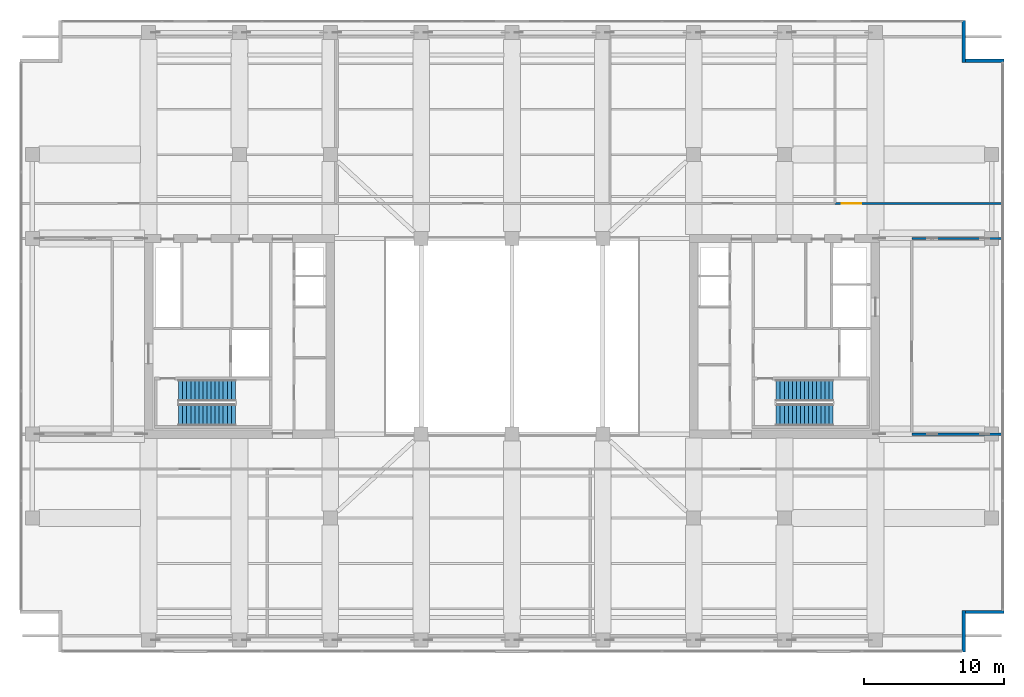
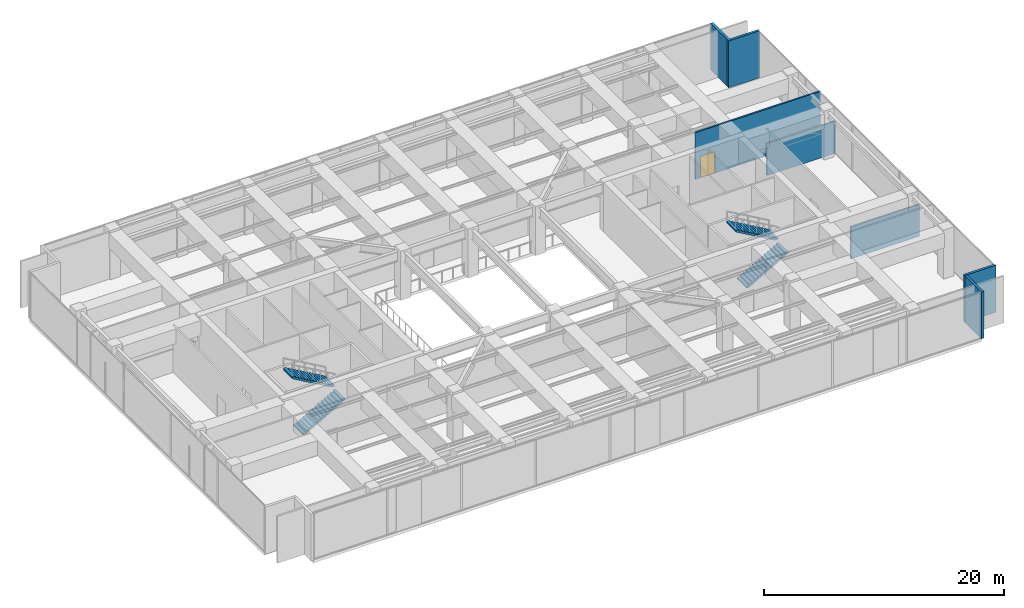
# One storey, part 24 of 28: 7 walls, 4 stair flights, 1 door, 1 opening, 2 elements without a shape of their own.
"""IFC4 building model written with IfcOpenShell, lengths in metres."""

from ifc_helpers import new_model, si_unit, direction, frame, frame_2d, origin, place, context, subcontext, project, spatial, polyline, rectangle, outline, extrude, material, layer, layer_set, type_object, element, fill, aggregate, save


model = new_model("IFC4")

# Units and contexts
model_context = context("Model", 3, precision=1e-05, world=origin(), true_north=direction((0.0, 1.0)))
body_context = subcontext(model_context, "Body", "Model", "MODEL_VIEW")
ifc_project = project(units=[si_unit("LENGTHUNIT", "METRE"), si_unit("AREAUNIT", "SQUARE_METRE"), si_unit("VOLUMEUNIT", "CUBIC_METRE"), si_unit("PLANEANGLEUNIT", "RADIAN"), si_unit("MASSUNIT", "GRAM", prefix="KILO")], contexts=[model_context])

# Site, building, storey
site_placement = place(None, origin())
site = spatial("IfcSite", under=ifc_project, at=site_placement, CompositionType="ELEMENT")
building_placement = place(site_placement, origin())
building = spatial("IfcBuilding", under=site, at=building_placement, Name="Putna Gate Headquarters", CompositionType="ELEMENT")
storey_placement = place(building_placement, frame((0.0, 0.0, 197.39990234375)))
storey = spatial("IfcBuildingStorey", under=building, at=storey_placement, Name="L49", CompositionType="ELEMENT", Elevation=197.39990234375)

# Walls
ifc_material_1 = material(Name="Precast concrete C40/50", Category="concrete")
ifc_layer_1 = layer(ifc_material_1, 0.239990234375)
ifc_layer_set_1 = layer_set([ifc_layer_1], Name="Precast concrete C40/50")
wall_type_1 = type_object("IfcWallType", Name="WALL-EXT-TERR-240", PredefinedType="STANDARD", material=ifc_layer_set_1)
for number, where, z_axis, x_axis, name in (
    (1, (71.320068359375, 48.60009765625, 0.0), (0.0, 0.0, 1.0), (0.0, -1.0, 0.0), "L49 Corner Notch Return Wall NE-V"),
    (2, (71.199951171875, 45.719970703125, 0.0), (0.0, 0.0, 1.0), (1.0, 0.0, 0.0), "L49 Corner Notch Return Wall NE-H"),
    (3, (71.320068359375, 6.39990234375, 0.0), (0.0, 0.0, 1.0), (0.0, -1.0, 0.0), "L49 Corner Notch Return Wall SE-V"),
    (4, (74.199951171875, 6.280029296875, 0.0), (0.0, 0.0, 1.0), (-1.0, 0.0, 0.0), "L49 Corner Notch Return Wall SE-H"),
):
    element("IfcWall", number, at=place(storey_placement, frame(where, z_axis=z_axis, x_axis=x_axis)), inside=storey, type_object=wall_type_1, Name=name, PredefinedType="STANDARD", context=body_context, shape_type="SweptSolid", body=[
        extrude(rectangle(XDim=3.0, YDim=0.239990234375, at=frame_2d((1.5, 0.0))), origin(), (0.0, 0.0, 1.0), 4.780029296875),
    ])
ifc_material_2 = material(Name="Concrete C40/50", Category="concrete")
ifc_layer_2 = layer(ifc_material_2, 0.159912109375)
ifc_layer_set_2 = layer_set([ifc_layer_2], Name="Concrete C40/50")
wall_type_2 = type_object("IfcWallType", Name="WALL-SHAFT-160", PredefinedType="STANDARD", material=ifc_layer_set_2)
for number, where, z_axis, x_axis, name in (
    (5, (67.60009765625, 19.0, 0.0), (0.0, 0.0, 1.0), (1.0, 0.0, 0.0), "L49 Interior Wall PART-L49-REFE-S"),
    (6, (67.60009765625, 33.0, 0.0), (0.0, 0.0, 1.0), (1.0, 0.0, 0.0), "L49 Interior Wall PART-L49-REFE-N"),
):
    element("IfcWall", number, at=place(storey_placement, frame(where, z_axis=z_axis, x_axis=x_axis)), inside=storey, type_object=wall_type_2, Name=name, PredefinedType="STANDARD", context=body_context, shape_type="SweptSolid", body=[
        extrude(rectangle(XDim=6.579833984375, YDim=0.159912109375, at=frame_2d((3.2900390625, 0.0))), origin(), (0.0, 0.0, 1.0), 3.260009765625),
    ])

# Wall, opening, door
wall_placement = place(storey_placement, frame((62.11328125, 35.5, 0.0), z_axis=(0.0, 0.0, 1.0), x_axis=(1.0, 0.0, 0.0)))
wall = element("IfcWall", 7, at=wall_placement, inside=storey, type_object=wall_type_2, Name="L49 Interior Wall PART-L49-PN-CW4", PredefinedType="STANDARD", context=body_context, shape_type="SweptSolid", body=[
    extrude(rectangle(XDim=12.066650390625, YDim=0.159912109375, at=frame_2d((6.033203125, 0.0))), origin(), (0.0, 0.0, 1.0), 4.780029296875),
])
opening_placement = place(wall_placement, frame((0.47998046875, 0.0, 0.0)))
opening = element("IfcOpeningElement", 8, at=opening_placement, cuts=wall, Name="Opening FDD-140", PredefinedType="OPENING", context=body_context, shape_type="SweptSolid", body=[
    extrude(rectangle(XDim=1.39990234375, YDim=2.199951171875, at=frame_2d((0.699951171875, 1.10009765625))), frame((0.0, 0.08984375, 0.0), z_axis=(0.0, -1.0, 0.0), x_axis=(1.0, 0.0, 0.0)), (0.0, 0.0, 1.0), 0.179931640625),
])
ifc_material_3 = material(Name="Double steel fire door", Category="steel")
door_type = type_object("IfcDoorType", Name="DOOR-FIRE-DBL-1400", OperationType="DOUBLE_DOOR_SINGLE_SWING", PredefinedType="DOOR", material=ifc_material_3)
door_placement = place(opening_placement, origin())
door = element("IfcDoor", 9, at=door_placement, inside=storey, type_object=door_type, Name="L49 BMS and Telecoms Control Plant Room Door", OperationType="DOUBLE_DOOR_SINGLE_SWING", OverallHeight=2.199951171875, OverallWidth=1.39990234375, PredefinedType="DOOR", context=body_context, shape_type="SweptSolid", body=[
    extrude(rectangle(XDim=1.39990234375, YDim=2.199951171875, at=frame_2d((0.699951171875, 1.10009765625))), frame((0.0, 0.02490234375, 0.0), z_axis=(0.0, -1.0, 0.0), x_axis=(1.0, 0.0, 0.0)), (0.0, 0.0, 1.0), 0.050048828125),
])
fill(opening, door)

# Stair, stair flights
stair_type_1 = type_object("IfcStairType", Name="STAIR-ST1", PredefinedType="HALF_TURN_STAIR", material=ifc_material_2)
stair_1_placement = place(storey_placement, origin())
stair_1 = element("IfcStair", 10, at=stair_1_placement, inside=storey, type_object=stair_type_1, Name="L49 West Core Exit Stair ST1", PredefinedType="HALF_TURN_STAIR")
stair_flight_type_1 = type_object("IfcStairFlightType", Name="FLIGHT-ST1", PredefinedType="STRAIGHT", material=ifc_material_2)
stair_flight_1_placement = place(storey_placement, frame((15.14990234375, 20.375, 0.0), z_axis=(0.0, 0.0, 1.0), x_axis=(1.0, 0.0, 0.0)))
stair_flight_1 = element("IfcStairFlight", 11, at=stair_flight_1_placement, type_object=stair_flight_type_1, Name="ST1 flight 1", NumberOfRisers=15, NumberOfTreads=14, PredefinedType="STRAIGHT", RiserHeight=0.166666667, TreadLength=0.29, context=body_context, shape_type="SweptSolid", body=[
    extrude(outline(polyline([(0.0, 0.0), (0.0, 0.166748046875), (0.2900390625, 0.166748046875), (0.2900390625, 0.333251953125), (0.580078125, 0.333251953125), (0.580078125, 0.5), (0.8701171875, 0.5), (0.8701171875, 0.666748046875), (1.159912109375, 0.666748046875), (1.159912109375, 0.833251953125), (1.449951171875, 0.833251953125), (1.449951171875, 1.0), (1.739990234375, 1.0), (1.739990234375, 1.166748046875), (2.030029296875, 1.166748046875), (2.030029296875, 1.333251953125), (2.320068359375, 1.333251953125), (2.320068359375, 1.5), (2.610107421875, 1.5), (2.610107421875, 1.666748046875), (2.89990234375, 1.666748046875), (2.89990234375, 1.833251953125), (3.18994140625, 1.833251953125), (3.18994140625, 2.0), (3.47998046875, 2.0), (3.47998046875, 2.166748046875), (3.77001953125, 2.166748046875), (3.77001953125, 2.333251953125), (4.06005859375, 2.333251953125), (4.06005859375, 2.5), (4.06005859375, 2.160400390625), (0.30078125, 0.0), (0.0, 0.0)])), frame((0.0, 0.77490234375, 0.0), z_axis=(0.0, -1.0, 0.0), x_axis=(1.0, 0.0, 0.0)), (0.0, 0.0, 1.0), 1.550048828125),
])
stair_flight_2_placement = place(storey_placement, frame((19.2099609375, 22.125, 2.5), z_axis=(0.0, 0.0, 1.0), x_axis=(-1.0, 0.0, 0.0)))
stair_flight_2 = element("IfcStairFlight", 12, at=stair_flight_2_placement, type_object=stair_flight_type_1, Name="ST1 flight 2", NumberOfRisers=15, NumberOfTreads=14, PredefinedType="STRAIGHT", RiserHeight=0.166666667, TreadLength=0.29, context=body_context, shape_type="SweptSolid", body=[
    extrude(outline(polyline([(0.0, 0.0), (0.0, 0.166748046875), (0.2900390625, 0.166748046875), (0.2900390625, 0.333251953125), (0.580078125, 0.333251953125), (0.580078125, 0.5), (0.8701171875, 0.5), (0.8701171875, 0.666748046875), (1.159912109375, 0.666748046875), (1.159912109375, 0.833251953125), (1.449951171875, 0.833251953125), (1.449951171875, 1.0), (1.739990234375, 1.0), (1.739990234375, 1.166748046875), (2.030029296875, 1.166748046875), (2.030029296875, 1.333251953125), (2.320068359375, 1.333251953125), (2.320068359375, 1.5), (2.610107421875, 1.5), (2.610107421875, 1.666748046875), (2.89990234375, 1.666748046875), (2.89990234375, 1.833251953125), (3.18994140625, 1.833251953125), (3.18994140625, 2.0), (3.47998046875, 2.0), (3.47998046875, 2.166748046875), (3.77001953125, 2.166748046875), (3.77001953125, 2.333251953125), (4.06005859375, 2.333251953125), (4.06005859375, 2.5), (4.06005859375, 2.160400390625), (0.30078125, 0.0), (0.0, 0.0)])), frame((0.0, 0.77490234375, 0.0), z_axis=(0.0, -1.0, 0.0), x_axis=(1.0, 0.0, 0.0)), (0.0, 0.0, 1.0), 1.550048828125),
])
aggregate(stair_1, [stair_flight_1, stair_flight_2])

stair_type_2 = type_object("IfcStairType", Name="STAIR-ST2", PredefinedType="HALF_TURN_STAIR", material=ifc_material_2)
stair_2_placement = place(storey_placement, origin())
stair_2 = element("IfcStair", 13, at=stair_2_placement, inside=storey, type_object=stair_type_2, Name="L49 East Core Exit Stair ST2", PredefinedType="HALF_TURN_STAIR")
stair_flight_type_2 = type_object("IfcStairFlightType", Name="FLIGHT-ST2", PredefinedType="STRAIGHT", material=ifc_material_2)
stair_flight_3_placement = place(storey_placement, frame((57.89990234375, 20.375, 0.0), z_axis=(0.0, 0.0, 1.0), x_axis=(1.0, 0.0, 0.0)))
stair_flight_3 = element("IfcStairFlight", 14, at=stair_flight_3_placement, type_object=stair_flight_type_2, Name="ST2 flight 1", NumberOfRisers=15, NumberOfTreads=14, PredefinedType="STRAIGHT", RiserHeight=0.166666667, TreadLength=0.29, context=body_context, shape_type="SweptSolid", body=[
    extrude(outline(polyline([(0.0, 0.0), (0.0, 0.166748046875), (0.2900390625, 0.166748046875), (0.2900390625, 0.333251953125), (0.580078125, 0.333251953125), (0.580078125, 0.5), (0.8701171875, 0.5), (0.8701171875, 0.666748046875), (1.159912109375, 0.666748046875), (1.159912109375, 0.833251953125), (1.449951171875, 0.833251953125), (1.449951171875, 1.0), (1.739990234375, 1.0), (1.739990234375, 1.166748046875), (2.030029296875, 1.166748046875), (2.030029296875, 1.333251953125), (2.320068359375, 1.333251953125), (2.320068359375, 1.5), (2.610107421875, 1.5), (2.610107421875, 1.666748046875), (2.89990234375, 1.666748046875), (2.89990234375, 1.833251953125), (3.18994140625, 1.833251953125), (3.18994140625, 2.0), (3.47998046875, 2.0), (3.47998046875, 2.166748046875), (3.77001953125, 2.166748046875), (3.77001953125, 2.333251953125), (4.06005859375, 2.333251953125), (4.06005859375, 2.5), (4.06005859375, 2.160400390625), (0.30078125, 0.0), (0.0, 0.0)])), frame((0.0, 0.77490234375, 0.0), z_axis=(0.0, -1.0, 0.0), x_axis=(1.0, 0.0, 0.0)), (0.0, 0.0, 1.0), 1.550048828125),
])
stair_flight_4_placement = place(storey_placement, frame((61.9599609375, 22.125, 2.5), z_axis=(0.0, 0.0, 1.0), x_axis=(-1.0, 0.0, 0.0)))
stair_flight_4 = element("IfcStairFlight", 15, at=stair_flight_4_placement, type_object=stair_flight_type_2, Name="ST2 flight 2", NumberOfRisers=15, NumberOfTreads=14, PredefinedType="STRAIGHT", RiserHeight=0.166666667, TreadLength=0.29, context=body_context, shape_type="SweptSolid", body=[
    extrude(outline(polyline([(0.0, 0.0), (0.0, 0.166748046875), (0.2900390625, 0.166748046875), (0.2900390625, 0.333251953125), (0.580078125, 0.333251953125), (0.580078125, 0.5), (0.8701171875, 0.5), (0.8701171875, 0.666748046875), (1.159912109375, 0.666748046875), (1.159912109375, 0.833251953125), (1.449951171875, 0.833251953125), (1.449951171875, 1.0), (1.739990234375, 1.0), (1.739990234375, 1.166748046875), (2.030029296875, 1.166748046875), (2.030029296875, 1.333251953125), (2.320068359375, 1.333251953125), (2.320068359375, 1.5), (2.610107421875, 1.5), (2.610107421875, 1.666748046875), (2.89990234375, 1.666748046875), (2.89990234375, 1.833251953125), (3.18994140625, 1.833251953125), (3.18994140625, 2.0), (3.47998046875, 2.0), (3.47998046875, 2.166748046875), (3.77001953125, 2.166748046875), (3.77001953125, 2.333251953125), (4.06005859375, 2.333251953125), (4.06005859375, 2.5), (4.06005859375, 2.160400390625), (0.30078125, 0.0), (0.0, 0.0)])), frame((0.0, 0.77490234375, 0.0), z_axis=(0.0, -1.0, 0.0), x_axis=(1.0, 0.0, 0.0)), (0.0, 0.0, 1.0), 1.550048828125),
])
aggregate(stair_2, [stair_flight_3, stair_flight_4])

save(model, "model.ifc")
